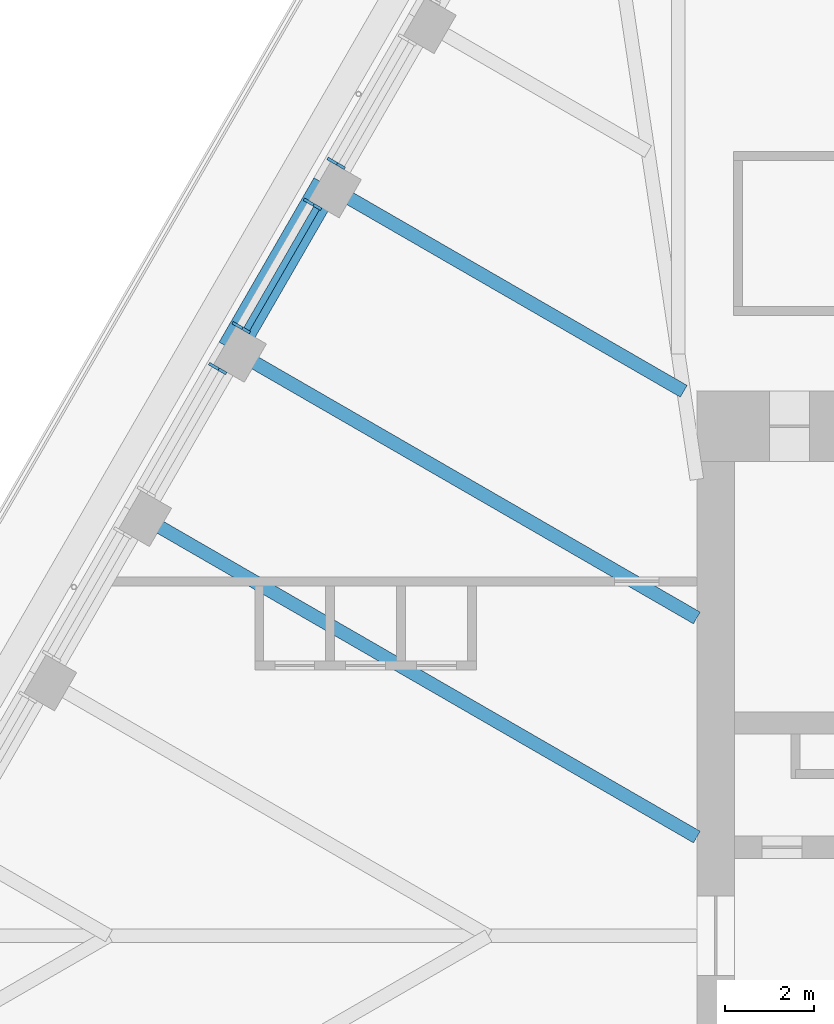
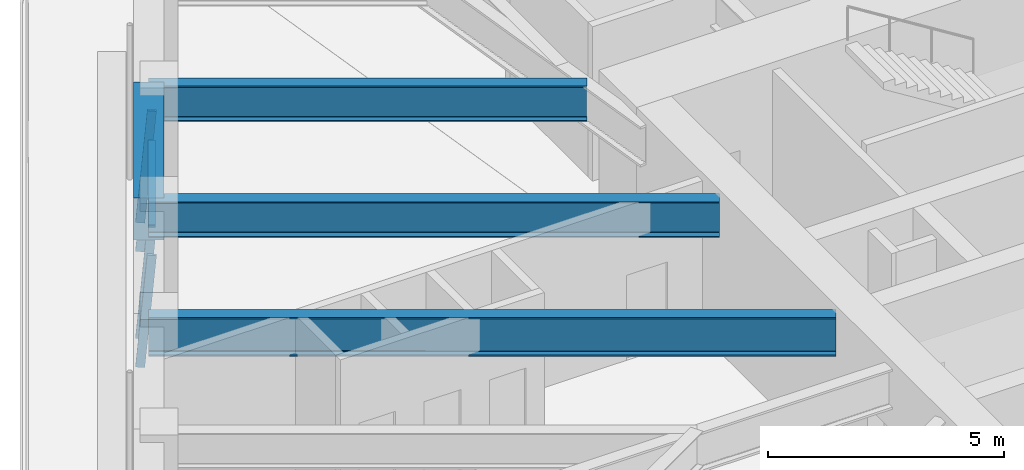
# One storey, part 7 of 19: 5 members, 4 beams, 3 elements without a shape of their own.
"""IFC4 building model written with IfcOpenShell, lengths in metres."""

from ifc_helpers import new_model, si_unit, direction, frame, origin, origin_2d, place, context, subcontext, project, spatial, rectangle, i_section, extrude, material, material_profile, profile_set, type_object, element, aggregate, save


model = new_model("IFC4")

# Units and contexts
model_context = context("Model", 3, precision=1e-05, world=origin(), true_north=direction((0.0, 1.0)))
body_context = subcontext(model_context, "Body", "Model", "MODEL_VIEW")
ifc_project = project(units=[si_unit("LENGTHUNIT", "METRE"), si_unit("AREAUNIT", "SQUARE_METRE"), si_unit("VOLUMEUNIT", "CUBIC_METRE"), si_unit("PLANEANGLEUNIT", "RADIAN"), si_unit("MASSUNIT", "GRAM", prefix="KILO")], contexts=[model_context])

# Site, building, storey
site_placement = place(None, origin())
site = spatial("IfcSite", under=ifc_project, at=site_placement, CompositionType="ELEMENT")
building_placement = place(site_placement, origin())
building = spatial("IfcBuilding", under=site, at=building_placement, Name="Tarfa Lantern Tower", CompositionType="ELEMENT")
storey_placement = place(building_placement, frame((0.0, 0.0, 340.89990234375)))
storey = spatial("IfcBuildingStorey", under=building, at=storey_placement, Name="L77", CompositionType="ELEMENT", Elevation=340.89990234375)

# Curtain wall, member
ifc_material_1 = material(Name="Aluminium framed curtain wall", Category="aluminium")
curtain_wall_type = type_object("IfcCurtainWallType", Name="CW4 CANTED GLAZING EXECUTIVE ZONE 2900", PredefinedType="USERDEFINED", material=ifc_material_1)
curtain_wall_1_placement = place(storey_placement, origin())
curtain_wall_1 = element("IfcCurtainWall", 1, at=curtain_wall_1_placement, inside=storey, type_object=curtain_wall_type, Name="CW4 NW L77", ObjectType="CURTAIN WALL", PredefinedType="USERDEFINED")
ifc_material_2 = material(Name="Aluminium mullion", Category="aluminium")
ifc_material_profile_1 = material_profile(ifc_material_2, rectangle(XDim=0.06494140625, YDim=0.199951171875, at=origin_2d()), Name="AL MULLION 65x200")
ifc_profile_set_1 = profile_set([ifc_material_profile_1], Name="Aluminium mullion")
member_type_1 = type_object("IfcMemberType", Name="CWM1 MULLION 65x200", PredefinedType="MULLION", material=ifc_profile_set_1)
member_1_placement = place(storey_placement, frame((-20.67236328125, 17.494384765625, 0.0), z_axis=(0.074393603155, -0.042941967097, 0.996303959277), x_axis=(0.499919672301, 0.866071776036, 0.0)))
member_1 = element("IfcMember", 2, at=member_1_placement, type_object=member_type_1, Name="CW4 mullion 2", PredefinedType="MULLION", context=body_context, shape_type="SweptSolid", body=[
    extrude(rectangle(XDim=0.06494140625, YDim=0.199951171875, at=origin_2d()), origin(), (0.0, 0.0, 1.0), 2.910888671875),
])
aggregate(curtain_wall_1, [member_1])

# Curtain wall, members
curtain_wall_2_placement = place(storey_placement, origin())
curtain_wall_2 = element("IfcCurtainWall", 3, at=curtain_wall_2_placement, inside=storey, type_object=curtain_wall_type, Name="CW4 NW L77", ObjectType="CURTAIN WALL", PredefinedType="USERDEFINED")
member_2_placement = place(storey_placement, frame((-21.204833984375, 16.572265625, 0.0), z_axis=(0.074393603155, -0.042941967097, 0.996303959277), x_axis=(0.499919672301, 0.866071776036, 0.0)))
member_2 = element("IfcMember", 4, at=member_2_placement, type_object=member_type_1, Name="CW4 mullion 1", PredefinedType="MULLION", context=body_context, shape_type="SweptSolid", body=[
    extrude(rectangle(XDim=0.06494140625, YDim=0.199951171875, at=origin_2d()), origin(), (0.0, 0.0, 1.0), 2.910888671875),
])
member_3_placement = place(storey_placement, frame((-22.813232421875, 13.7861328125, 0.0), z_axis=(0.074310195522, -0.042942234884, 0.996310172238), x_axis=(0.500342721131, 0.865827443207, 0.0)))
member_3 = element("IfcMember", 5, at=member_3_placement, type_object=member_type_1, Name="CW4 mullion 2", PredefinedType="MULLION", context=body_context, shape_type="SweptSolid", body=[
    extrude(rectangle(XDim=0.06494140625, YDim=0.199951171875, at=origin_2d()), origin(), (0.0, 0.0, 1.0), 2.910888671875),
])

# Curtain wall, member
curtain_wall_3_placement = place(storey_placement, origin())
curtain_wall_3 = element("IfcCurtainWall", 6, at=curtain_wall_3_placement, inside=storey, type_object=curtain_wall_type, Name="CW4 NW L77", ObjectType="CURTAIN WALL", PredefinedType="USERDEFINED")
member_4_placement = place(storey_placement, frame((-23.345947265625, 12.86376953125, 0.0), z_axis=(0.074393603155, -0.042941967097, 0.996303959277), x_axis=(0.499919672301, 0.866071776036, 0.0)))
member_4 = element("IfcMember", 7, at=member_4_placement, type_object=member_type_1, Name="CW4 mullion 1", PredefinedType="MULLION", context=body_context, shape_type="SweptSolid", body=[
    extrude(rectangle(XDim=0.06494140625, YDim=0.199951171875, at=origin_2d()), origin(), (0.0, 0.0, 1.0), 2.910888671875),
])
aggregate(curtain_wall_3, [member_4])

# Member
ifc_material_3 = material(Name="Aluminium transom", Category="aluminium")
ifc_material_profile_2 = material_profile(ifc_material_3, rectangle(XDim=0.14990234375, YDim=0.06494140625, at=origin_2d()), Name="AL TRANSOM 150x65")
ifc_profile_set_2 = profile_set([ifc_material_profile_2], Name="Aluminium transom")
member_type_2 = type_object("IfcMemberType", Name="CWT1 TRANSOM 150x65", PredefinedType="USERDEFINED", material=ifc_profile_set_2)
member_5_placement = place(storey_placement, frame((-21.007080078125, 16.42041015625, 2.86767578125), z_axis=(-0.499979472441, -0.866037255052, 0.0), x_axis=(0.866037255052, -0.499979472441, 0.0)))
member_5 = element("IfcMember", 8, at=member_5_placement, type_object=member_type_2, Name="CW4 transom 1.2", ObjectType="TRANSOM", PredefinedType="USERDEFINED", context=body_context, shape_type="SweptSolid", body=[
    extrude(rectangle(XDim=0.14990234375, YDim=0.06494140625, at=origin_2d()), origin(), (0.0, 0.0, 1.0), 3.152099609375),
])

aggregate(curtain_wall_2, [member_2, member_3, member_5])

# Beams
ifc_material_4 = material(Name="Concrete C80/95", Category="concrete")
ifc_material_profile_3 = material_profile(ifc_material_4, rectangle(XDim=0.64990234375, YDim=1.10009765625, at=origin_2d()), Name="RC 650x1100")
ifc_profile_set_3 = profile_set([ifc_material_profile_3], Name="Concrete C80/95")
beam_type_1 = type_object("IfcBeamType", Name="EB4 RC 650x1100", PredefinedType="SPANDREL", material=ifc_profile_set_3)
beam_1_placement = place(storey_placement, frame((-20.78271484375, 16.943359375, 3.4501953125), z_axis=(-0.499984039138, -0.866034618596, 0.0), x_axis=(0.866034618596, -0.499984039138, 0.0)))
element("IfcBeam", 9, at=beam_1_placement, inside=storey, type_object=beam_type_1, Name="Edge beam NW2", PredefinedType="SPANDREL", context=body_context, shape_type="SweptSolid", body=[
    extrude(rectangle(XDim=0.64990234375, YDim=1.10009765625, at=origin_2d()), origin(), (0.0, 0.0, 1.0), 4.281982421875),
])
ifc_material_5 = material(Name="Steel S460M", Category="steel")
ifc_material_profile_4 = material_profile(ifc_material_5, i_section(OverallWidth=0.302001953125, OverallDepth=1.008056640625, WebThickness=0.02099609375, FlangeThickness=0.0400390625, FilletRadius=0.030029296875, at=origin_2d()), Name="UB1016x305x349")
ifc_profile_set_4 = profile_set([ifc_material_profile_4], Name="Steel S460M")
beam_type_2 = type_object("IfcBeamType", Name="UB1016x305x349", PredefinedType="BEAM", material=ifc_profile_set_4)
beam_2_placement = place(storey_placement, frame((-25.064697265625, 9.526611328125, 3.49609375), z_axis=(0.866029591389, -0.499992746786, 0.0), x_axis=(0.499992746786, 0.866029591389, 0.0)))
element("IfcBeam", 10, at=beam_2_placement, inside=storey, type_object=beam_type_2, Name="Floor beam NW4", PredefinedType="BEAM", context=body_context, shape_type="SweptSolid", body=[
    extrude(i_section(OverallWidth=0.302001953125, OverallDepth=1.008056640625, WebThickness=0.02099609375, FlangeThickness=0.0400390625, FilletRadius=0.030029296875, at=origin_2d()), origin(), (0.0, 0.0, 1.0), 14.594970703125),
])
ifc_material_profile_5 = material_profile(ifc_material_5, i_section(OverallWidth=0.305419921875, OverallDepth=0.91845703125, WebThickness=0.017333984375, FlangeThickness=0.02783203125, FilletRadius=0.01904296875, at=origin_2d()), Name="UB914x305x253")
ifc_profile_set_5 = profile_set([ifc_material_profile_5], Name="Steel S460M")
beam_type_3 = type_object("IfcBeamType", Name="UB914x305x253", PredefinedType="BEAM", material=ifc_profile_set_5)
beam_3_placement = place(storey_placement, frame((-20.78271484375, 16.943359375, 3.541015625), z_axis=(0.866021806508, -0.500006230613, 0.0), x_axis=(0.500006230613, 0.866021806508, 0.0)))
element("IfcBeam", 11, at=beam_3_placement, inside=storey, type_object=beam_type_3, Name="Floor beam NW2", PredefinedType="BEAM", context=body_context, shape_type="SweptSolid", body=[
    extrude(i_section(OverallWidth=0.305419921875, OverallDepth=0.91845703125, WebThickness=0.017333984375, FlangeThickness=0.02783203125, FilletRadius=0.01904296875, at=origin_2d()), origin(), (0.0, 0.0, 1.0), 9.30908203125),
])
beam_4_placement = place(storey_placement, frame((-22.923583984375, 13.235107421875, 3.541015625), z_axis=(0.86601856927, -0.500011837539, 0.0), x_axis=(0.500011837539, 0.86601856927, 0.0)))
element("IfcBeam", 12, at=beam_4_placement, inside=storey, type_object=beam_type_3, Name="Floor beam NW3", PredefinedType="BEAM", context=body_context, shape_type="SweptSolid", body=[
    extrude(i_section(OverallWidth=0.305419921875, OverallDepth=0.91845703125, WebThickness=0.017333984375, FlangeThickness=0.02783203125, FilletRadius=0.01904296875, at=origin_2d()), origin(), (0.0, 0.0, 1.0), 12.122802734375),
])

save(model, "model.ifc")
